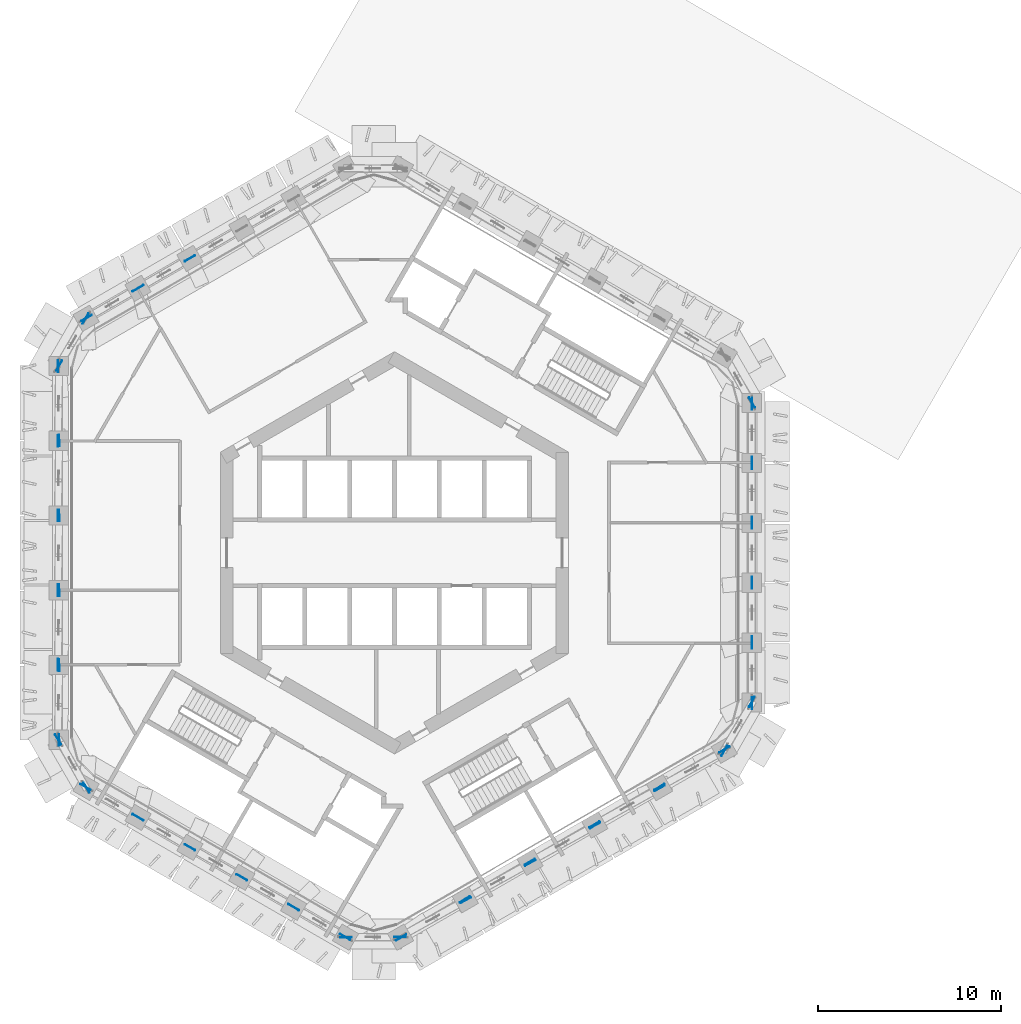
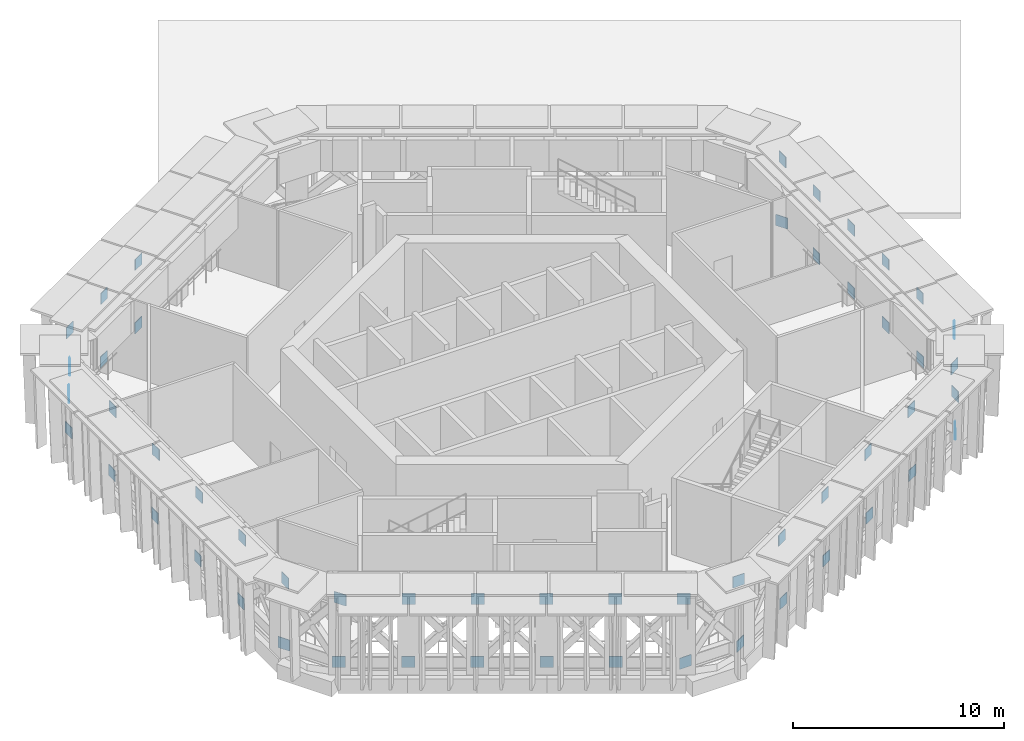
# One storey, part 11 of 18: 54 discrete accessories.
"""IFC4 building model written with IfcOpenShell, lengths in metres."""

import ifcopenshell
import ifcopenshell.guid

model = None  # the IFC model being written
_history = None  # IfcOwnerHistory: only IFC2X3 demands one
_inside = {}  # id of a spatial element -> (the spatial element, [elements in it])
_under = {}  # id of a project, library or spatial element -> (it, [spatial elements below it])
_declared = {}  # id of a project -> (the project, [libraries it declares])
_typed = {}  # id of a type object -> (the type object, [elements of that type])
_made_of = {}  # id of a material, layer set ... -> (it, [elements and type objects made of it])


def new_model(schema):
    """Start an empty IFC model of exactly this schema.

    Asked for "IFC4X3", IfcOpenShell would pick the latest addendum, in which some entities
    have other attributes; the version numbers below select the first issue.
    IFC2X3 requires an IfcOwnerHistory on every rooted entity: one is made here for all.
    """
    global model, _history
    if schema == "IFC4X3":
        model = ifcopenshell.file(schema_version=(4, 3, 0, 0))
    else:
        model = ifcopenshell.file(schema=schema)
    _inside.clear()
    _under.clear()
    _declared.clear()
    _typed.clear()
    _made_of.clear()
    _history = None
    if model.schema == "IFC2X3":
        org = make("IfcOrganization", Name="unknown")
        user = make(
            "IfcPersonAndOrganization",
            ThePerson=make("IfcPerson", FamilyName="unknown"),
            TheOrganization=org,
        )
        app = make(
            "IfcApplication",
            ApplicationDeveloper=org,
            Version="unknown",
            ApplicationFullName="unknown",
            ApplicationIdentifier="unknown",
        )
        _history = make(
            "IfcOwnerHistory",
            OwningUser=user,
            OwningApplication=app,
            ChangeAction="ADDED",
            CreationDate=0,
        )
    return model


def make(cls, **values):
    """One entity of the class cls with the attributes given. An attribute that is None is left unset."""
    return model.create_entity(
        cls, **{name: value for name, value in values.items() if value is not None}
    )


def rooted(cls, **values):
    """An entity with a GlobalId (a new one), such as an element, a storey or a relation."""
    return make(cls, GlobalId=ifcopenshell.guid.new(), OwnerHistory=_history, **values)


def si_unit(unit_type, name, prefix=None):
    """IfcSIUnit, for example si_unit("LENGTHUNIT", "METRE", prefix="MILLI")."""
    return make("IfcSIUnit", UnitType=unit_type, Prefix=prefix, Name=name)


def assignment(units):
    """IfcUnitAssignment: the units of a project."""
    return None if units is None else make("IfcUnitAssignment", Units=units)


def point(xyz):
    """IfcCartesianPoint."""
    return None if xyz is None else make("IfcCartesianPoint", Coordinates=xyz)


def direction(xyz):
    """IfcDirection."""
    return None if xyz is None else make("IfcDirection", DirectionRatios=xyz)


def frame(location, z_axis=None, x_axis=None):
    """IfcAxis2Placement3D, a coordinate frame: its origin and axes. An axis left out is left unset."""
    return make(
        "IfcAxis2Placement3D",
        Location=point(location),
        Axis=direction(z_axis),
        RefDirection=direction(x_axis),
    )


def frame_2d(location, x_axis=None):
    """IfcAxis2Placement2D, a coordinate frame in the plane: its origin and x axis."""
    return make(
        "IfcAxis2Placement2D", Location=point(location), RefDirection=direction(x_axis)
    )


def origin():
    """The frame at (0, 0, 0) with its axes left unset."""
    return frame((0.0, 0.0, 0.0))


def origin_2d():
    """The frame at (0, 0) in the plane with its x axis left unset."""
    return frame_2d((0.0, 0.0))


def place(relative_to, where):
    """IfcLocalPlacement: puts the frame where relative to a parent placement (None: the world)."""
    return make(
        "IfcLocalPlacement", PlacementRelTo=relative_to, RelativePlacement=where
    )


def context(
    kind, dimensions, precision=None, world=None, true_north=None, identifier=None
):
    """IfcGeometricRepresentationContext, for example the 3D "Model" context."""
    return make(
        "IfcGeometricRepresentationContext",
        ContextIdentifier=identifier,
        ContextType=kind,
        CoordinateSpaceDimension=dimensions,
        Precision=precision,
        WorldCoordinateSystem=world,
        TrueNorth=true_north,
    )


def subcontext(parent, identifier, kind, view, scale=None):
    """IfcGeometricRepresentationSubContext, for example "Body" below "Model"."""
    return make(
        "IfcGeometricRepresentationSubContext",
        ContextIdentifier=identifier,
        ContextType=kind,
        ParentContext=parent,
        TargetScale=scale,
        TargetView=view,
    )


def project(units=None, contexts=None):
    """IfcProject with its units and contexts."""
    return rooted(
        "IfcProject",
        Name="project",
        RepresentationContexts=contexts,
        UnitsInContext=assignment(units),
    )


def spatial(cls, under=None, at=None, **own):
    """A site, building, storey or space (cls), placed at a placement, below another one or the project."""
    s = rooted(cls, ObjectPlacement=at, **own)
    if under is not None:
        _under.setdefault(under.id(), (under, []))[1].append(s)
    return s


def profile(cls, at=None, kind="AREA", **sizes):
    """A parametric profile (cls). Its sizes go by their IFC names, for example OverallWidth=200.0."""
    return make(cls, ProfileType=kind, Position=at, **sizes)


def rectangle(**sizes):
    """IfcRectangleProfileDef."""
    return profile("IfcRectangleProfileDef", **sizes)


def extrude(swept, where, along, depth):
    """IfcExtrudedAreaSolid: the profile swept, set in the frame where, extruded along a direction by depth."""
    return make(
        "IfcExtrudedAreaSolid",
        SweptArea=swept,
        Position=where,
        ExtrudedDirection=direction(along),
        Depth=depth,
    )


def shape(context_of_items, identifier, shape_type, items):
    """IfcShapeRepresentation: the items that make up one representation, for example the "Body"."""
    return make(
        "IfcShapeRepresentation",
        ContextOfItems=context_of_items,
        RepresentationIdentifier=identifier,
        RepresentationType=shape_type,
        Items=items,
    )


def material(Name=None, Category=None):
    """IfcMaterial."""
    return make("IfcMaterial", Name=Name, Category=Category)


def layer(
    of_material, thickness, ventilated=None, Name=None, Category=None, Priority=None
):
    """IfcMaterialLayer: one layer of a wall or slab, of a material (None: an air gap)."""
    return make(
        "IfcMaterialLayer",
        Material=of_material,
        LayerThickness=thickness,
        IsVentilated=ventilated,
        Name=Name,
        Category=Category,
        Priority=Priority,
    )


def layer_set(layers, Name=None):
    """IfcMaterialLayerSet."""
    return make("IfcMaterialLayerSet", MaterialLayers=layers, LayerSetName=Name)


def made_of(thing, what):
    """Note that an element or type object is made of a material, layer set ...; save() writes the relation."""
    if what is not None:
        _made_of.setdefault(what.id(), (what, []))[1].append(thing)
    return thing


def type_object(cls, material=None, **own):
    """A type object (cls), such as IfcWallType, which elements share."""
    return made_of(rooted(cls, **own), material)


def element(
    cls,
    number,
    at=None,
    inside=None,
    cuts=None,
    type_object=None,
    material=None,
    context=None,
    identifier="Body",
    shape_type=None,
    held_by="IfcProductDefinitionShape",
    body=None,
    shapes=None,
    **own,
):
    """One element of the class cls, such as IfcWall. Its Tag is "e" and its number.

    at: its placement. inside: the storey or other place that contains it. cuts: it is an
    opening in that element (IfcRelVoidsElement). A single representation is given by context,
    identifier, shape_type and body (its items); several are given by shapes. held_by: the class
    of the entity that holds the representations. save() writes the other relations.
    """
    e = rooted(cls, Tag="e%d" % number, ObjectPlacement=at, **own)
    if body is not None:
        shapes = [shape(context, identifier, shape_type, body)]
    if shapes is not None:
        e.Representation = make(held_by, Representations=shapes)
    if inside is not None:
        _inside.setdefault(inside.id(), (inside, []))[1].append(e)
    if cuts is not None:
        rooted(
            "IfcRelVoidsElement", RelatingBuildingElement=cuts, RelatedOpeningElement=e
        )
    if type_object is not None:
        _typed.setdefault(type_object.id(), (type_object, []))[1].append(e)
    return made_of(e, material)


def aggregate(whole, parts):
    """IfcRelAggregates: a whole, such as a stair, and the parts it consists of."""
    return rooted("IfcRelAggregates", RelatingObject=whole, RelatedObjects=parts)


def save(model, path):
    """Write the relations noted so far, then the file.

    IfcRelAggregates (storeys below a building ...), IfcRelContainedInSpatialStructure (elements
    in a storey), IfcRelDefinesByType, IfcRelAssociatesMaterial and IfcRelDeclares: one each for
    every whole, place, type object, material and project.
    """
    for whole, parts in _under.values():
        aggregate(whole, parts)
    for where, things in _inside.values():
        rooted(
            "IfcRelContainedInSpatialStructure",
            RelatedElements=things,
            RelatingStructure=where,
        )
    for kind, things in _typed.values():
        rooted("IfcRelDefinesByType", RelatedObjects=things, RelatingType=kind)
    for what, things in _made_of.values():
        rooted("IfcRelAssociatesMaterial", RelatedObjects=things, RelatingMaterial=what)
    for by, libraries in _declared.values():
        rooted("IfcRelDeclares", RelatingContext=by, RelatedDefinitions=libraries)
    model.write(path)


model = new_model("IFC4")

# Units and contexts
model_context = context("Model", 3, precision=1e-05, world=origin(), true_north=direction((0.0, 1.0)))
body_context = subcontext(model_context, "Body", "Model", "MODEL_VIEW")
ifc_project = project(units=[si_unit("LENGTHUNIT", "METRE"), si_unit("AREAUNIT", "SQUARE_METRE"), si_unit("VOLUMEUNIT", "CUBIC_METRE"), si_unit("PLANEANGLEUNIT", "RADIAN"), si_unit("MASSUNIT", "GRAM", prefix="KILO")], contexts=[model_context])

# Site, building, storey
site_placement = place(None, origin())
site = spatial("IfcSite", under=ifc_project, at=site_placement, CompositionType="ELEMENT")
building_placement = place(site_placement, origin())
building = spatial("IfcBuilding", under=site, at=building_placement, Name="Ayvan Gate Tower", CompositionType="ELEMENT")
storey_placement = place(building_placement, frame((0.0, 0.0, 147.89990234375)))
storey = spatial("IfcBuildingStorey", under=building, at=storey_placement, Name="L39", CompositionType="ELEMENT", Elevation=147.89990234375)

# Discrete accessories
ifc_material = material(Name="Steel S460ML", Category="steel")
ifc_layer = layer(ifc_material, 0.034912109375)
ifc_layer_set = layer_set([ifc_layer], Name="Steel S460ML")
discrete_accessory_type = type_object("IfcDiscreteAccessoryType", Name="Gusset plate 35 mm", PredefinedType="BRACKET", material=ifc_layer_set)
for number, where, z_axis, x_axis, name in (
    (1, (19.485595703125, -8.203857421875, 0.080078125), (0.0, 0.0, 1.0), (0.0, 1.0, 0.0), "Gusset plate BT2-DA-1"),
    (2, (19.485595703125, -4.878173828125, 3.72998046875), (0.0, 0.0, 1.0), (0.0, 1.0, 0.0), "Gusset plate BT2-DA-1"),
    (3, (-11.15087890625, 16.06201171875, 3.72998046875), (0.0, 0.0, 1.0), (0.866025403784, 0.5, 0.0), "Gusset plate BT2-DA-15"),
    (4, (-13.96728515625, 14.435791015625, 3.72998046875), (0.0, 0.0, 1.0), (0.866025403784, 0.5, 0.0), "Gusset plate BT2-DA-16"),
    (5, (-16.78369140625, 12.809814453125, 3.72998046875), (0.0, 0.0, 1.0), (0.866025403784, 0.5, 0.0), "Gusset plate BT2-DA-17"),
    (6, (-16.847412109375, 12.773193359375, 0.080078125), (0.0, 0.0, 1.0), (0.489113025903, 0.872220412448, 0.0), "Gusset plate BT2-DA-18"),
    (7, (-18.28369140625, 10.2119140625, 3.72998046875), (0.0, 0.0, 1.0), (0.489113025903, 0.872220412448, 0.0), "Gusset plate BT2-DA-18"),
    (8, (-18.347412109375, 10.175048828125, 0.080078125), (0.0, 0.0, 1.0), (-0.015736984242, 0.999876165996, 0.0), "Gusset plate BT2-DA-19"),
    (9, (-18.28369140625, 6.127197265625, 3.72998046875), (0.0, 0.0, 1.0), (-0.015736984242, 0.999876165996, 0.0), "Gusset plate BT2-DA-19"),
    (10, (19.485595703125, -1.626220703125, 3.72998046875), (0.0, 0.0, 1.0), (0.0, 1.0, 0.0), "Gusset plate BT2-DA-2"),
    (11, (-18.28369140625, 2.04248046875, 3.72998046875), (0.0, 0.0, 1.0), (-0.015679395483, 0.999877070723, 0.0), "Gusset plate BT2-DA-20"),
    (12, (-18.28369140625, -2.04248046875, 3.72998046875), (0.0, 0.0, 1.0), (-0.015623551788, 0.999877944866, 0.0), "Gusset plate BT2-DA-21"),
    (13, (-18.28369140625, -6.127197265625, 3.72998046875), (0.0, 0.0, 1.0), (-0.015567708044, 0.99987881589, 0.0), "Gusset plate BT2-DA-22"),
    (14, (-18.28369140625, -10.2119140625, 3.72998046875), (0.0, 0.0, 1.0), (-0.015511864252, 0.999879683796, 0.0), "Gusset plate BT2-DA-23"),
    (15, (-18.347412109375, -10.175048828125, 0.080078125), (0.0, 0.0, 1.0), (-0.510361318764, 0.859960071346, 0.0), "Gusset plate BT2-DA-24"),
    (16, (-16.78369140625, -12.809814453125, 3.72998046875), (0.0, 0.0, 1.0), (-0.510361318764, 0.859960071346, 0.0), "Gusset plate BT2-DA-24"),
    (17, (-16.847412109375, -12.773193359375, 0.080078125), (0.0, 0.0, 1.0), (-0.866025403784, 0.5, 0.0), "Gusset plate BT2-DA-25"),
    (18, (-13.96728515625, -14.435791015625, 3.72998046875), (0.0, 0.0, 1.0), (-0.866025403784, 0.5, 0.0), "Gusset plate BT2-DA-25"),
    (19, (-11.15087890625, -16.06201171875, 3.72998046875), (0.0, 0.0, 1.0), (-0.866025403784, 0.5, 0.0), "Gusset plate BT2-DA-26"),
    (20, (-8.334716796875, -17.68798828125, 3.72998046875), (0.0, 0.0, 1.0), (-0.866025403784, 0.5, 0.0), "Gusset plate BT2-DA-27"),
    (21, (-5.518310546875, -19.314208984375, 3.72998046875), (0.0, 0.0, 1.0), (-0.866025403784, 0.5, 0.0), "Gusset plate BT2-DA-28"),
    (22, (-2.701904296875, -20.940185546875, 3.72998046875), (0.0, 0.0, 1.0), (-0.866025403784, 0.5, 0.0), "Gusset plate BT2-DA-29"),
    (23, (19.485595703125, 1.626220703125, 3.72998046875), (0.0, 0.0, 1.0), (0.0, 1.0, 0.0), "Gusset plate BT2-DA-3"),
    (24, (-2.63818359375, -20.976806640625, 0.080078125), (0.0, 0.0, 1.0), (0.999921547831, 0.01252590047, 0.0), "Gusset plate BT2-DA-30"),
    (25, (0.298095703125, -20.940185546875, 3.72998046875), (0.0, 0.0, 1.0), (0.999921547831, 0.01252590047, 0.0), "Gusset plate BT2-DA-30"),
    (26, (0.36181640625, -20.976806640625, 0.080078125), (0.0, 0.0, 1.0), (0.85804966827, 0.51356671113, 0.0), "Gusset plate BT2-DA-31"),
    (27, (3.835693359375, -18.897705078125, 3.72998046875), (0.0, 0.0, 1.0), (0.85804966827, 0.51356671113, 0.0), "Gusset plate BT2-DA-31"),
    (28, (7.373291015625, -16.85546875, 3.72998046875), (0.0, 0.0, 1.0), (0.858079246166, 0.513517290165, 0.0), "Gusset plate BT2-DA-32"),
    (29, (10.91064453125, -14.81298828125, 3.72998046875), (0.0, 0.0, 1.0), (0.858107925044, 0.513469365179, 0.0), "Gusset plate BT2-DA-33"),
    (30, (14.447998046875, -12.770751953125, 3.72998046875), (0.0, 0.0, 1.0), (0.858136601245, 0.51342143859, 0.0), "Gusset plate BT2-DA-34"),
    (31, (17.985595703125, -10.728271484375, 3.72998046875), (0.0, 0.0, 1.0), (0.858165274769, 0.5133735104, 0.0), "Gusset plate BT2-DA-35"),
    (32, (17.985595703125, -10.802001953125, 0.080078125), (0.0, 0.0, 1.0), (0.489566608644, 0.871965902832, 0.0), "Gusset plate BT2-DA-36"),
    (33, (19.485595703125, -8.13037109375, 3.72998046875), (0.0, 0.0, 1.0), (0.489566608644, 0.871965902832, 0.0), "Gusset plate BT2-DA-36"),
    (34, (19.485595703125, 4.878173828125, 3.72998046875), (0.0, 0.0, 1.0), (0.0, 1.0, 0.0), "Gusset plate BT2-DA-4"),
    (35, (19.485595703125, 8.13037109375, 3.72998046875), (0.0, 0.0, 1.0), (0.0, 1.0, 0.0), "Gusset plate BT2-DA-5"),
    (36, (19.485595703125, 8.203857421875, 0.080078125), (0.0, 0.0, 1.0), (-0.510808521928, 0.859694511978, 0.0), "Gusset plate BT2-DA-6"),
    (37, (19.485595703125, -4.92236328125, 0.080078125), (0.0, 0.0, 1.0), (0.0, 1.0, 0.0), "Gusset plate BT2-DB-1"),
    (38, (-11.163818359375, 16.0546875, 0.080078125), (0.0, 0.0, 1.0), (0.866025403784, 0.5, 0.0), "Gusset plate BT2-DB-15"),
    (39, (-14.005615234375, 14.413818359375, 0.080078125), (0.0, 0.0, 1.0), (0.866025403784, 0.5, 0.0), "Gusset plate BT2-DB-16"),
    (40, (-18.347412109375, 6.10498046875, 0.080078125), (0.0, 0.0, 1.0), (0.015511864252, 0.999879683796, 0.0), "Gusset plate BT2-DB-19"),
    (41, (19.485595703125, -1.640869140625, 0.080078125), (0.0, 0.0, 1.0), (0.0, 1.0, 0.0), "Gusset plate BT2-DB-2"),
    (42, (-18.347412109375, 2.034912109375, 0.080078125), (0.0, 0.0, 1.0), (0.015567708044, 0.99987881589, 0.0), "Gusset plate BT2-DB-20"),
    (43, (-18.347412109375, -2.034912109375, 0.080078125), (0.0, 0.0, 1.0), (0.015623551788, 0.999877944866, 0.0), "Gusset plate BT2-DB-21"),
    (44, (-18.347412109375, -6.10498046875, 0.080078125), (0.0, 0.0, 1.0), (0.015679395483, 0.999877070723, 0.0), "Gusset plate BT2-DB-22"),
    (45, (-14.005615234375, -14.413818359375, 0.080078125), (0.0, 0.0, 1.0), (-0.866025403784, 0.5, 0.0), "Gusset plate BT2-DB-25"),
    (46, (-11.163818359375, -16.0546875, 0.080078125), (0.0, 0.0, 1.0), (-0.866025403784, 0.5, 0.0), "Gusset plate BT2-DB-26"),
    (47, (-8.32177734375, -17.6953125, 0.080078125), (0.0, 0.0, 1.0), (-0.866025403784, 0.5, 0.0), "Gusset plate BT2-DB-27"),
    (48, (-5.47998046875, -19.336181640625, 0.080078125), (0.0, 0.0, 1.0), (-0.866025403784, 0.5, 0.0), "Gusset plate BT2-DB-28"),
    (49, (19.485595703125, 1.640869140625, 0.080078125), (0.0, 0.0, 1.0), (0.0, 1.0, 0.0), "Gusset plate BT2-DB-3"),
    (50, (3.88671875, -18.94189453125, 0.080078125), (0.0, 0.0, 1.0), (0.873677139021, 0.486506173395, 0.0), "Gusset plate BT2-DB-31"),
    (51, (7.411376953125, -16.906982421875, 0.080078125), (0.0, 0.0, 1.0), (0.873704309289, 0.4864573773, 0.0), "Gusset plate BT2-DB-32"),
    (52, (10.93603515625, -14.871826171875, 0.080078125), (0.0, 0.0, 1.0), (0.873731476832, 0.486408579687, 0.0), "Gusset plate BT2-DB-33"),
    (53, (14.460693359375, -12.8369140625, 0.080078125), (0.0, 0.0, 1.0), (0.873758641649, 0.486359780557, 0.0), "Gusset plate BT2-DB-34"),
    (54, (19.485595703125, 4.92236328125, 0.080078125), (0.0, 0.0, 1.0), (0.0, 1.0, 0.0), "Gusset plate BT2-DB-4"),
):
    element("IfcDiscreteAccessory", number, at=place(storey_placement, frame(where, z_axis=z_axis, x_axis=x_axis)), inside=storey, type_object=discrete_accessory_type, Name=name, PredefinedType="BRACKET", context=body_context, shape_type="SweptSolid", body=[
        extrude(rectangle(XDim=0.639892578125, YDim=0.034912109375, at=origin_2d()), origin(), (0.0, 0.0, 1.0), 0.639892578125),
    ])

save(model, "model.ifc")
